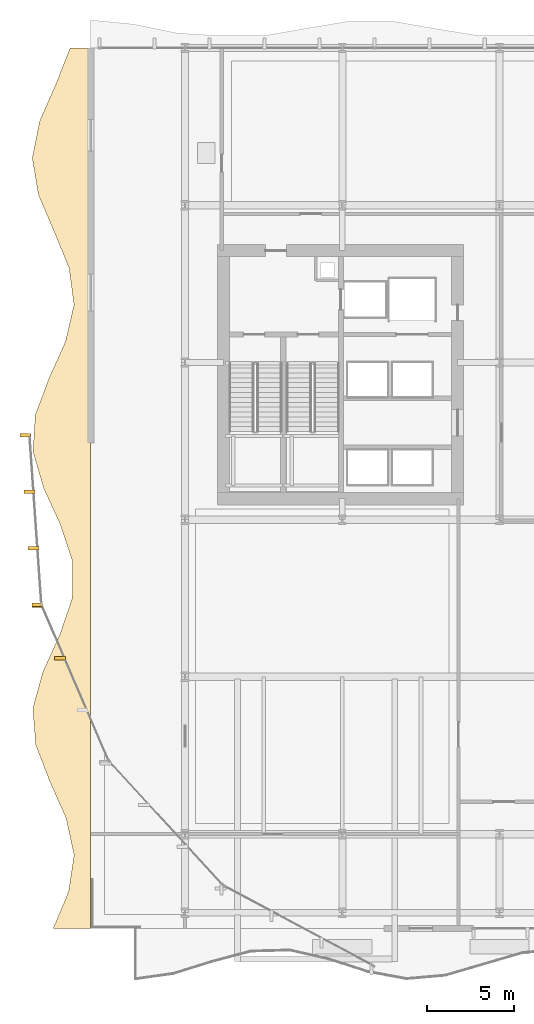
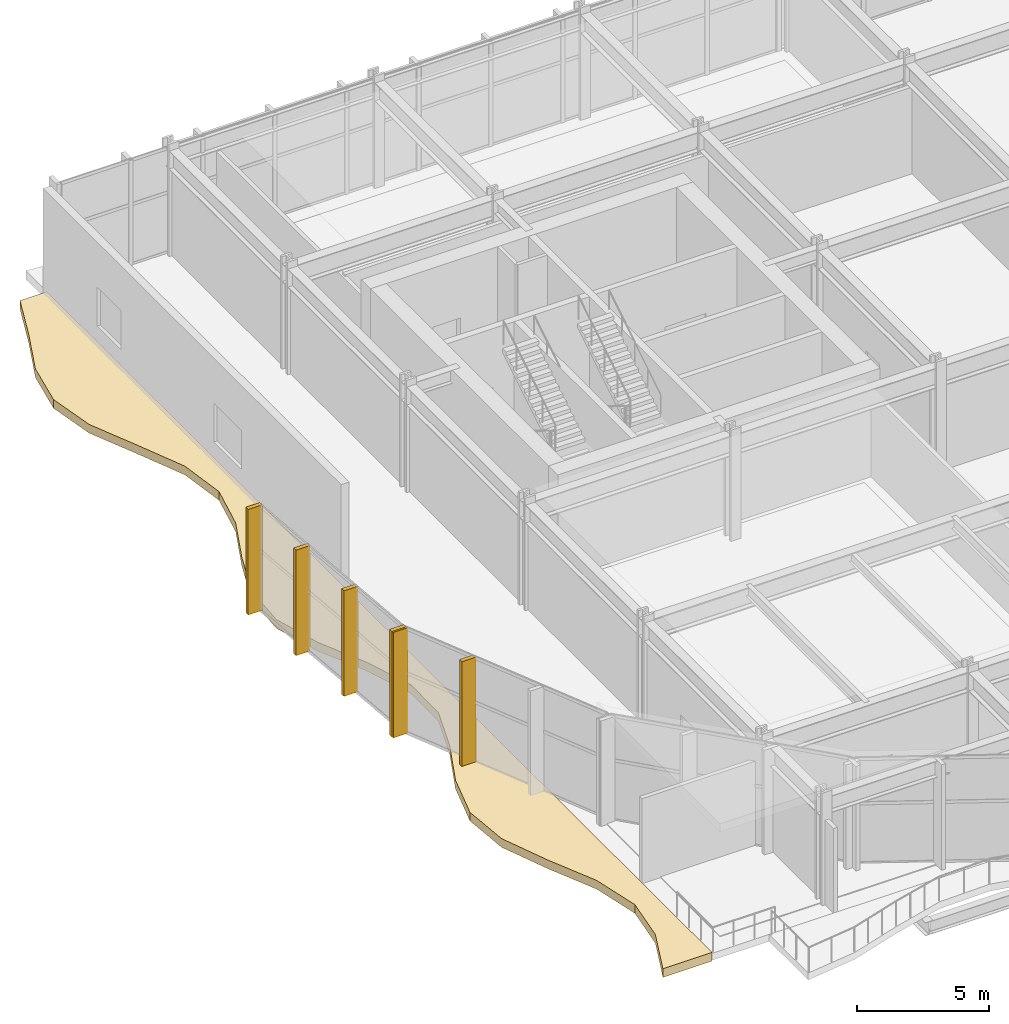
# One storey, part 26 of 31: 7 coverings.
"""IFC4 building model written with IfcOpenShell, lengths in metres."""

from ifc_helpers import new_model, si_unit, direction, frame, origin, origin_2d, place, context, subcontext, project, spatial, polyline, rectangle, outline, extrude, material, layer, layer_set, type_object, element, save


model = new_model("IFC4")

# Units and contexts
model_context = context("Model", 3, precision=1e-05, world=origin(), true_north=direction((0.0, 1.0)))
body_context = subcontext(model_context, "Body", "Model", "MODEL_VIEW")
ifc_project = project(units=[si_unit("LENGTHUNIT", "METRE"), si_unit("AREAUNIT", "SQUARE_METRE"), si_unit("VOLUMEUNIT", "CUBIC_METRE"), si_unit("PLANEANGLEUNIT", "RADIAN"), si_unit("MASSUNIT", "GRAM", prefix="KILO")], contexts=[model_context])

# Site, building, storey
site_placement = place(None, origin())
site = spatial("IfcSite", under=ifc_project, at=site_placement, CompositionType="ELEMENT")
building_placement = place(site_placement, origin())
building = spatial("IfcBuilding", under=site, at=building_placement, Name="Solvaryn Broadcast Tower", CompositionType="ELEMENT")
storey_placement = place(building_placement, frame((0.0, 0.0, 11.0)))
storey = spatial("IfcBuildingStorey", under=building, at=storey_placement, Name="L02", CompositionType="ELEMENT", Elevation=11.0)

# Coverings
ifc_material_1 = material(Name="Extruded Architectural Terracotta Fin", Category="masonry")
ifc_layer_1 = layer(ifc_material_1, 0.179931640625)
ifc_layer_set_1 = layer_set([ifc_layer_1], Name="CV-TC-FIN")
covering_type_1 = type_object("IfcCoveringType", Name="CV-TC-FIN", PredefinedType="USERDEFINED", material=ifc_layer_set_1)
for number, where, z_axis, x_axis, name in (
    (1, (-0.138916015625, 31.827880859375, 0.0), (0.0, 0.0, 1.0), (1.0, 0.0, 0.0), "L02 Terracotta Vertical Fin FIN-POD-L02-DC1-00"),
    (2, (0.087890625, 28.593994140625, 0.0), (0.0, 0.0, 1.0), (1.0, 0.0, 0.0), "L02 Terracotta Vertical Fin FIN-POD-L02-DC1-01"),
    (3, (0.31494140625, 25.360107421875, 0.0), (0.0, 0.0, 1.0), (1.0, 0.0, 0.0), "L02 Terracotta Vertical Fin FIN-POD-L02-DC1-02"),
    (4, (0.5419921875, 22.1259765625, 0.0), (0.0, 0.0, 1.0), (1.0, 0.0, 0.0), "L02 Terracotta Vertical Fin FIN-POD-L02-DC1-03"),
    (5, (0.56103515625, 22.048095703125, 0.0), (0.0, 0.0, 1.0), (1.0, 0.0, 0.0), "L02 Terracotta Vertical Fin FIN-POD-L02-DC2-00"),
    (6, (1.84326171875, 19.0703125, 0.0), (0.0, 0.0, 1.0), (1.0, 0.0, 0.0), "L02 Terracotta Vertical Fin FIN-POD-L02-DC2-01"),
):
    element("IfcCovering", number, at=place(storey_placement, frame(where, z_axis=z_axis, x_axis=x_axis)), inside=storey, type_object=covering_type_1, Name=name, ObjectType="FIN", PredefinedType="USERDEFINED", context=body_context, shape_type="SweptSolid", body=[
        extrude(rectangle(XDim=0.6201171875, YDim=0.179931640625, at=origin_2d()), origin(), (0.0, 0.0, 1.0), 4.8798828125),
    ])
ifc_material_2 = material(Name="Sculpted Architectural Terracotta Wave Fascia", Category="masonry")
ifc_layer_2 = layer(ifc_material_2, 0.340087890625)
ifc_layer_set_2 = layer_set([ifc_layer_2], Name="CV-WAVE-TRAY")
covering_type_2 = type_object("IfcCoveringType", Name="CV-WAVE-TRAY", PredefinedType="CLADDING", material=ifc_layer_set_2)
covering_placement = place(storey_placement, frame((0.0, 0.0, -0.360107421875)))
element("IfcCovering", 7, at=covering_placement, inside=storey, type_object=covering_type_2, Name="L02 Spreading Wave Tray Apron W", PredefinedType="CLADDING", context=body_context, shape_type="SweptSolid", body=[
    extrude(outline(polyline([(3.60009765625, 3.60009765625), (3.60009765625, 5.699951171875), (3.60009765625, 7.800048828125), (3.60009765625, 9.89990234375), (3.60009765625, 12.0), (3.60009765625, 14.10009765625), (3.60009765625, 16.199951171875), (3.60009765625, 18.300048828125), (3.60009765625, 20.39990234375), (3.60009765625, 22.5), (3.60009765625, 24.60009765625), (3.60009765625, 26.699951171875), (3.60009765625, 28.800048828125), (3.60009765625, 30.89990234375), (3.60009765625, 33.0), (3.60009765625, 35.10009765625), (3.60009765625, 37.199951171875), (3.60009765625, 39.300048828125), (3.60009765625, 41.39990234375), (3.60009765625, 43.5), (3.60009765625, 45.60009765625), (3.60009765625, 47.699951171875), (3.60009765625, 49.800048828125), (3.60009765625, 51.89990234375), (3.60009765625, 54.0), (2.4208984375, 54.0), (1.591064453125, 51.89990234375), (0.6708984375, 49.800048828125), (0.2509765625, 47.699951171875), (0.60107421875, 45.60009765625), (1.4970703125, 43.5), (2.362060546875, 41.39990234375), (2.64208984375, 39.300048828125), (2.155029296875, 37.199951171875), (1.216064453125, 35.10009765625), (0.427001953125, 33.0), (0.294921875, 30.89990234375), (0.905029296875, 28.800048828125), (1.864990234375, 26.699951171875), (2.55908203125, 24.60009765625), (2.5400390625, 22.5), (1.821044921875, 20.39990234375), (0.864013671875, 18.300048828125), (0.282958984375, 16.199951171875), (0.451904296875, 14.10009765625), (1.261962890625, 12.0), (2.193115234375, 9.89990234375), (2.64599609375, 7.800048828125), (2.3310546875, 5.699951171875), (1.449951171875, 3.60009765625), (3.60009765625, 3.60009765625)])), origin(), (0.0, 0.0, 1.0), 0.400146484375),
])

save(model, "model.ifc")
